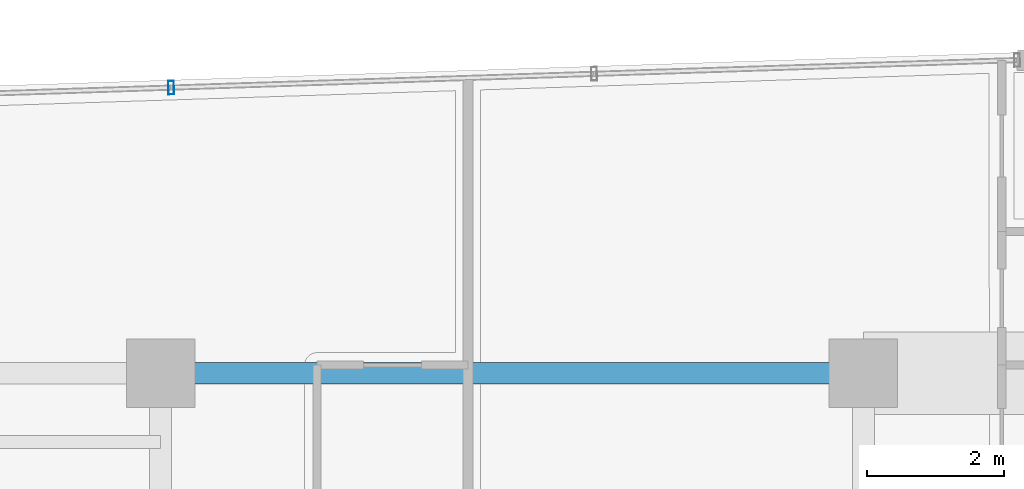
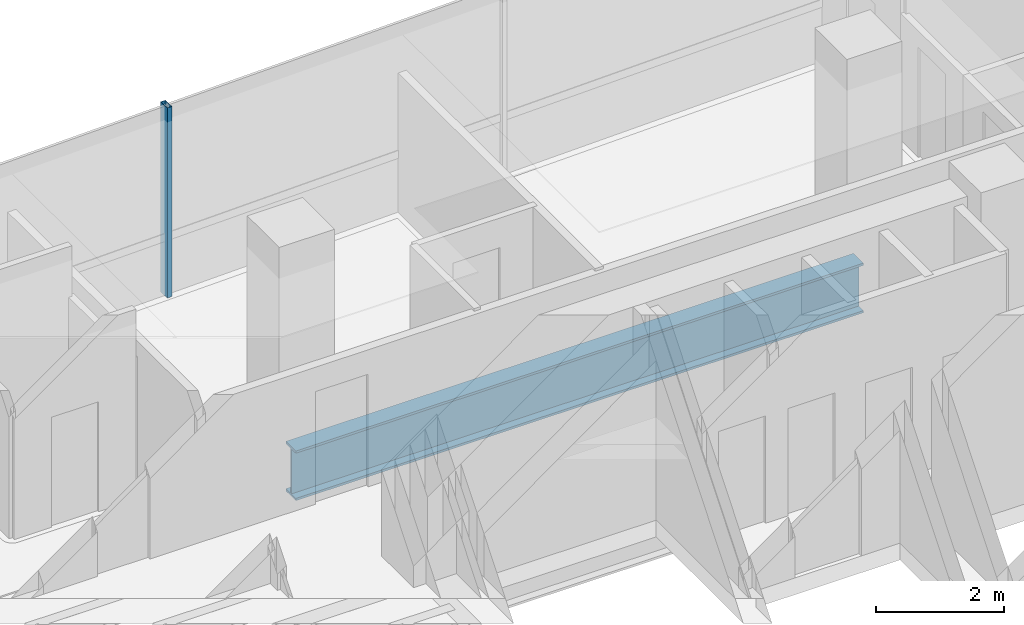
# One storey, part 19 of 39: 1 beam, 1 member, 1 element without a shape of its own.
"""IFC4 building model written with IfcOpenShell, lengths in metres."""

from ifc_helpers import new_model, si_unit, direction, frame, origin, origin_2d, place, context, subcontext, project, spatial, hollow_rectangle, i_section, extrude, source, transform, mapped, material, material_profile, profile_set, type_object, element, aggregate, save


model = new_model("IFC4")

# Units and contexts
model_context = context("Model", 3, precision=1e-05, world=origin(), true_north=direction((0.0, 1.0)))
body_context = subcontext(model_context, "Body", "Model", "MODEL_VIEW")
ifc_project = project(units=[si_unit("LENGTHUNIT", "METRE"), si_unit("AREAUNIT", "SQUARE_METRE"), si_unit("VOLUMEUNIT", "CUBIC_METRE"), si_unit("PLANEANGLEUNIT", "RADIAN"), si_unit("MASSUNIT", "GRAM", prefix="KILO")], contexts=[model_context])

# Site, building, storey
site_placement = place(None, origin())
site = spatial("IfcSite", under=ifc_project, at=site_placement, CompositionType="ELEMENT")
building_placement = place(site_placement, origin())
building = spatial("IfcBuilding", under=site, at=building_placement, Name="Valdorenza Pilgrim Sanctuary Tower", CompositionType="ELEMENT")
storey_placement = place(building_placement, frame((0.0, 0.0, 184.449951171875)))
storey = spatial("IfcBuildingStorey", under=building, at=storey_placement, Name="L47", CompositionType="ELEMENT", Elevation=184.449951171875)

# Beam
ifc_material_1 = material(Name="Steel ASTM A992 Grade 50", Category="steel")
ifc_material_profile_1 = material_profile(ifc_material_1, i_section(OverallWidth=0.31005859375, OverallDepth=0.949951171875, WebThickness=0.0244140625, FlangeThickness=0.0439453125, at=origin_2d()), Name="W36X256")
ifc_profile_set_1 = profile_set([ifc_material_profile_1], Name="Steel ASTM A992 Grade 50")
beam_type = type_object("IfcBeamType", Name="STR-BM-GRD-W36B", PredefinedType="BEAM", material=ifc_profile_set_1)
shared_shape_1 = source(origin(), body_context, "Body", "SweptSolid", [
    extrude(i_section(OverallWidth=0.31005859375, OverallDepth=0.949951171875, WebThickness=0.0244140625, FlangeThickness=0.0439453125, at=origin_2d()), origin(), (0.0, 0.0, 1.0), 10.25),
])
beam_placement = place(storey_placement, frame((-22.64990234375, 14.800048828125, -0.794921875), z_axis=(1.0, 0.0, 0.0), x_axis=(0.0, 1.0, 0.0)))
element("IfcBeam", 1, at=beam_placement, inside=storey, type_object=beam_type, Name="L47 Floor Girder CA-XC-N2", PredefinedType="BEAM", context=body_context, shape_type="MappedRepresentation", body=[
    mapped(shared_shape_1, transform((0.0, 0.0, 0.0), x_axis=(1.0, 0.0, 0.0), y_axis=(0.0, 1.0, 0.0), z_axis=(0.0, 0.0, 1.0), scale=1.0)),
])

# Curtain wall, member
ifc_material_2 = material(Name="Curtain-wall IGU glazing", Category="glass")
curtain_wall_type = type_object("IfcCurtainWallType", Name="CW-SYS-02", PredefinedType="NOTDEFINED", material=ifc_material_2)
curtain_wall_placement = place(storey_placement, origin())
curtain_wall = element("IfcCurtainWall", 2, at=curtain_wall_placement, inside=storey, type_object=curtain_wall_type, Name="L47 Curtain Wall CW-L47-1-6", PredefinedType="NOTDEFINED")
ifc_material_3 = material(Name="Anodised aluminium AW-6060", Category="aluminium")
ifc_material_profile_2 = material_profile(ifc_material_3, hollow_rectangle(XDim=0.0849609375, YDim=0.199951171875, WallThickness=0.0048828125, at=origin_2d()), Name="ALU-M 200x85x5")
ifc_profile_set_2 = profile_set([ifc_material_profile_2], Name="Anodised aluminium AW-6060")
member_type = type_object("IfcMemberType", Name="CW-MUL-02", PredefinedType="MULLION", material=ifc_profile_set_2)
shared_shape_2 = source(origin(), body_context, "Body", "SweptSolid", [
    extrude(hollow_rectangle(XDim=0.0849609375, YDim=0.199951171875, WallThickness=0.0048828125, at=origin_2d()), origin(), (0.0, 0.0, 1.0), 3.630126953125),
])
member_placement = place(storey_placement, frame((-22.495361328125, 18.966796875, 0.0), z_axis=(0.0, 0.0, 1.0), x_axis=(0.999470282811, 0.032544642846, 0.0)))
member = element("IfcMember", 3, at=member_placement, type_object=member_type, Name="CW-L47-1-6 Mullion 2", PredefinedType="MULLION", context=body_context, shape_type="MappedRepresentation", body=[
    mapped(shared_shape_2, transform((0.0, 0.0, 0.0), x_axis=(1.0, 0.0, 0.0), y_axis=(0.0, 1.0, 0.0), z_axis=(0.0, 0.0, 1.0), scale=1.0)),
])
aggregate(curtain_wall, [member])

save(model, "model.ifc")
